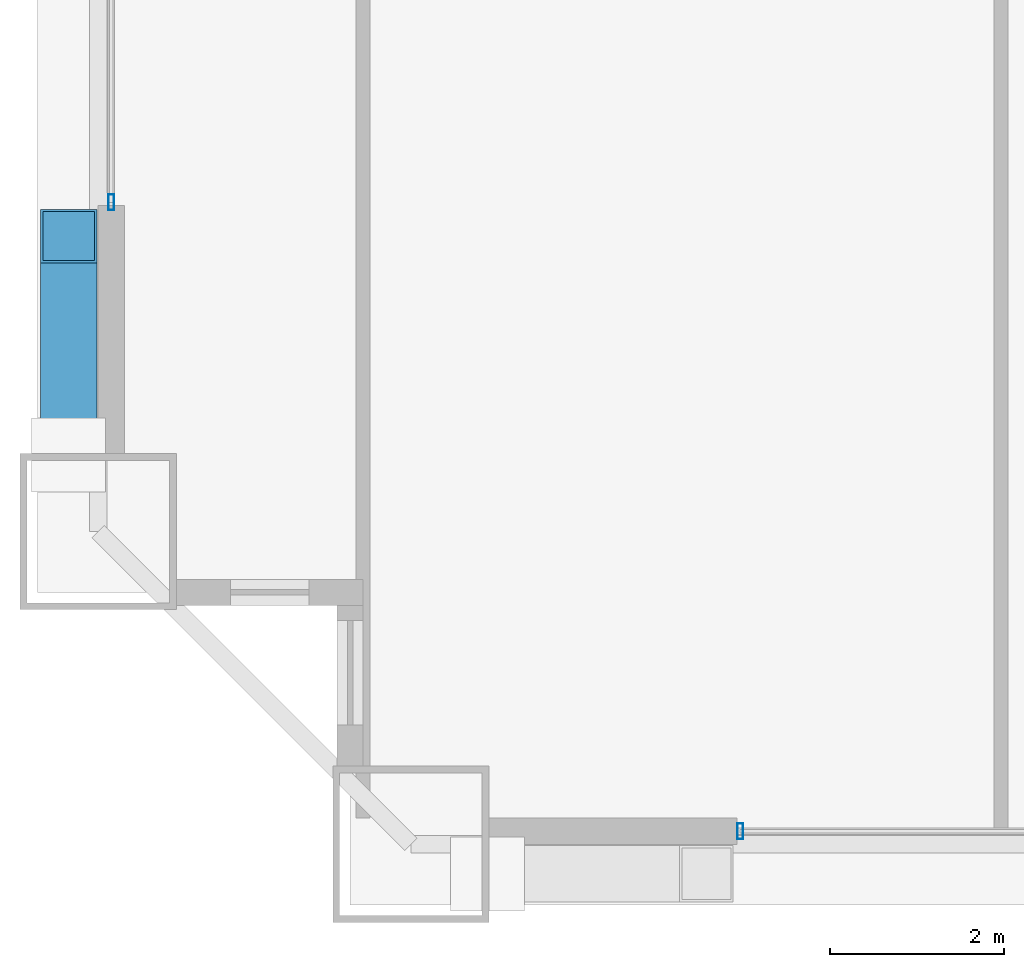
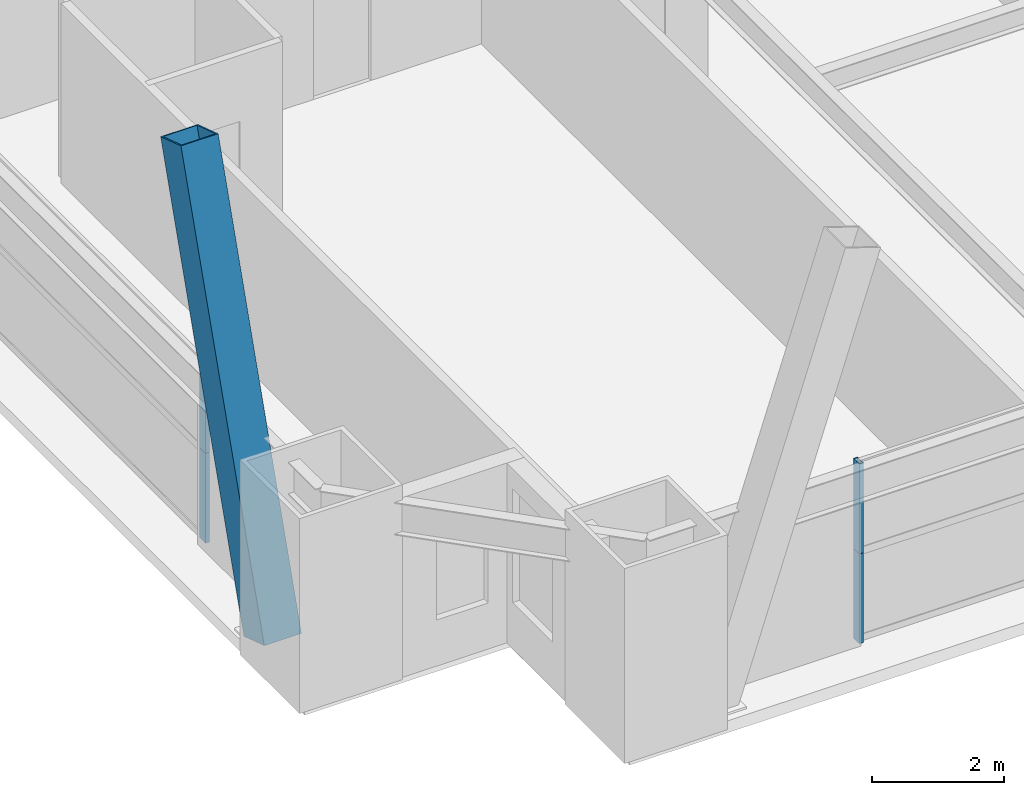
# One storey, part 3 of 43: 5 members, 2 elements without a shape of their own.
"""IFC4 building model written with IfcOpenShell, lengths in metres."""

from ifc_helpers import new_model, si_unit, direction, frame, origin, origin_2d, place, context, subcontext, project, spatial, hollow_rectangle, extrude, source, transform, mapped, material, layer, layer_set, material_profile, profile_set, type_object, element, aggregate, save


model = new_model("IFC4")

# Units and contexts
model_context = context("Model", 3, precision=1e-05, world=origin(), true_north=direction((0.0, 1.0)))
body_context = subcontext(model_context, "Body", "Model", "MODEL_VIEW")
ifc_project = project(units=[si_unit("LENGTHUNIT", "METRE"), si_unit("AREAUNIT", "SQUARE_METRE"), si_unit("VOLUMEUNIT", "CUBIC_METRE"), si_unit("PLANEANGLEUNIT", "RADIAN"), si_unit("MASSUNIT", "GRAM", prefix="KILO"), si_unit("THERMODYNAMICTEMPERATUREUNIT", "KELVIN"), si_unit("POWERUNIT", "WATT")], contexts=[model_context])

# Site, building, storey
site_placement = place(None, origin())
site = spatial("IfcSite", under=ifc_project, at=site_placement, CompositionType="ELEMENT")
building_placement = place(site_placement, origin())
building = spatial("IfcBuilding", under=site, at=building_placement, Name="Yuzanri Waterfront Tower", CompositionType="ELEMENT")
storey_placement = place(building_placement, frame((0.0, 0.0, 37.800048828125)))
storey = spatial("IfcBuildingStorey", under=building, at=storey_placement, Name="L09", CompositionType="ELEMENT", Elevation=37.800048828125)

# Member
ifc_material_1 = material(Name="Steel Q420GJC", Category="steel")
ifc_material_profile_1 = material_profile(ifc_material_1, hollow_rectangle(XDim=0.64990234375, YDim=0.64990234375, WallThickness=0.028076171875, at=origin_2d()), Name="RHS 650x650x28")
ifc_profile_set_1 = profile_set([ifc_material_profile_1], Name="Steel Q420GJC")
member_type_1 = type_object("IfcMemberType", Name="Mega Brace Lower Q420GJC RHS 650x650x28", PredefinedType="BRACE", material=ifc_profile_set_1)
shared_shape_1 = source(origin(), body_context, "Body", "SweptSolid", [
    extrude(hollow_rectangle(XDim=0.64990234375, YDim=0.64990234375, WallThickness=0.028076171875, at=origin_2d()), origin(), (0.0, 0.0, 1.0), 8.101806640625),
])
member_1_placement = place(storey_placement, frame((11.56005859375, 5.179931640625, 0.179931640625), z_axis=(0.0, 0.311043019491, 0.950395833338), x_axis=(-1.0, 0.0, 0.0)))
element("IfcMember", 1, at=member_1_placement, inside=storey, type_object=member_type_1, Name="L09-L10 Perimeter Mega-Brace W-L", PredefinedType="BRACE", context=body_context, shape_type="MappedRepresentation", body=[
    mapped(shared_shape_1, transform((0.0, 0.0, 0.0), scale=1.0)),
])

# Curtain wall, member
ifc_material_2 = material(Name="Anodized Architectural Bronze", Category="metal")
ifc_layer = layer(ifc_material_2, 0.159912109375)
ifc_layer_set = layer_set([ifc_layer], Name="Anodized Architectural Bronze")
curtain_wall_type = type_object("IfcCurtainWallType", Name="Anodized Bronze Hotel Lower-Tier Recessed Unitized Curtain Wall 8100", PredefinedType="NOTDEFINED", material=ifc_layer_set)
curtain_wall_1_placement = place(storey_placement, origin())
curtain_wall_1 = element("IfcCurtainWall", 2, at=curtain_wall_1_placement, inside=storey, type_object=curtain_wall_type, Name="L09 Curtain Wall CW-L09-SL", PredefinedType="NOTDEFINED")
ifc_material_3 = material(Name="Anodized Architectural Bronze", Category="metal")
ifc_material_profile_2 = material_profile(ifc_material_3, hollow_rectangle(XDim=0.070068359375, YDim=0.179931640625, WallThickness=0.00390625, at=origin_2d()), Name="CWM 70x180")
ifc_profile_set_2 = profile_set([ifc_material_profile_2], Name="Anodized Architectural Bronze")
member_type_2 = type_object("IfcMemberType", Name="Anodized Bronze Standard Curtain-Wall Mullion 70x180", PredefinedType="MULLION", material=ifc_profile_set_2)
shared_shape_2 = source(origin(), body_context, "Body", "SweptSolid", [
    extrude(hollow_rectangle(XDim=0.070068359375, YDim=0.179931640625, WallThickness=0.00390625, at=origin_2d()), origin(), (0.0, 0.0, 1.0), 1.657958984375),
])
member_2_placement = place(storey_placement, frame((19.2900390625, 0.85009765625, 0.0), z_axis=(0.0, 0.0, 1.0), x_axis=(1.0, 0.0, 0.0)))
member_2 = element("IfcMember", 3, at=member_2_placement, type_object=member_type_2, Name="CW-L09-SL Lower Mullion 00", PredefinedType="MULLION", context=body_context, shape_type="MappedRepresentation", body=[
    mapped(shared_shape_2, transform((0.0, 0.0, 0.0), scale=1.0)),
])

curtain_wall_2_placement = place(storey_placement, origin())
curtain_wall_2 = element("IfcCurtainWall", 4, at=curtain_wall_2_placement, inside=storey, type_object=curtain_wall_type, Name="L09 Curtain Wall CW-L09-WL", PredefinedType="NOTDEFINED")
member_3_placement = place(storey_placement, frame((12.050048828125, 8.090087890625, 0.0), z_axis=(0.0, 0.0, 1.0), x_axis=(1.0, 0.0, 0.0)))
member_3 = element("IfcMember", 5, at=member_3_placement, type_object=member_type_2, Name="CW-L09-WL Lower Mullion 00", PredefinedType="MULLION", context=body_context, shape_type="MappedRepresentation", body=[
    mapped(shared_shape_2, transform((0.0, 0.0, 0.0), scale=1.0)),
])

# Member
shared_shape_3 = source(origin(), body_context, "Body", "SweptSolid", [
    extrude(hollow_rectangle(XDim=0.070068359375, YDim=0.179931640625, WallThickness=0.00390625, at=origin_2d()), origin(), (0.0, 0.0, 1.0), 1.658203125),
])
member_4_placement = place(storey_placement, frame((19.2900390625, 0.85009765625, 1.661865234375), z_axis=(0.0, 0.0, 1.0), x_axis=(1.0, 0.0, 0.0)))
member_4 = element("IfcMember", 6, at=member_4_placement, type_object=member_type_2, Name="CW-L09-SL Upper Mullion 00", PredefinedType="MULLION", context=body_context, shape_type="MappedRepresentation", body=[
    mapped(shared_shape_3, transform((0.0, 0.0, 0.0), scale=1.0)),
])

aggregate(curtain_wall_1, [member_2, member_4])

member_5_placement = place(storey_placement, frame((12.050048828125, 8.090087890625, 1.661865234375), z_axis=(0.0, 0.0, 1.0), x_axis=(1.0, 0.0, 0.0)))
member_5 = element("IfcMember", 7, at=member_5_placement, type_object=member_type_2, Name="CW-L09-WL Upper Mullion 00", PredefinedType="MULLION", context=body_context, shape_type="MappedRepresentation", body=[
    mapped(shared_shape_3, transform((0.0, 0.0, 0.0), scale=1.0)),
])

aggregate(curtain_wall_2, [member_3, member_5])

save(model, "model.ifc")
